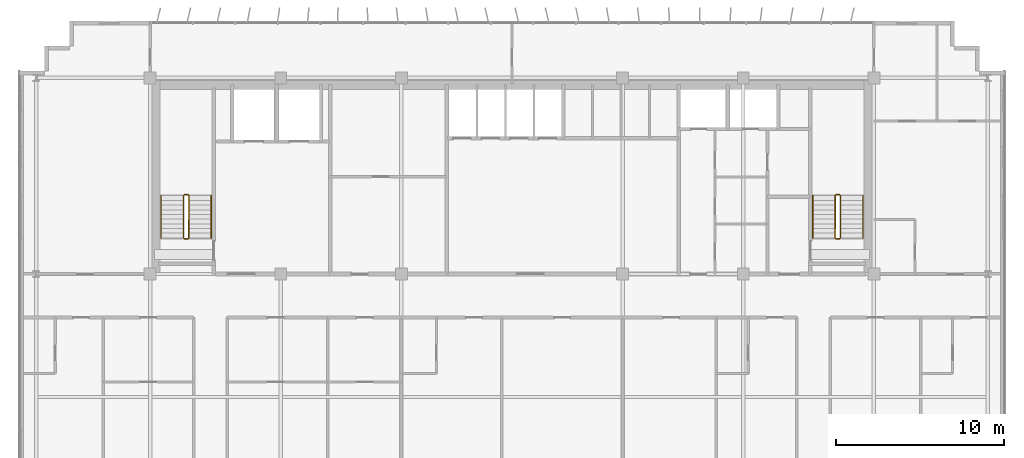
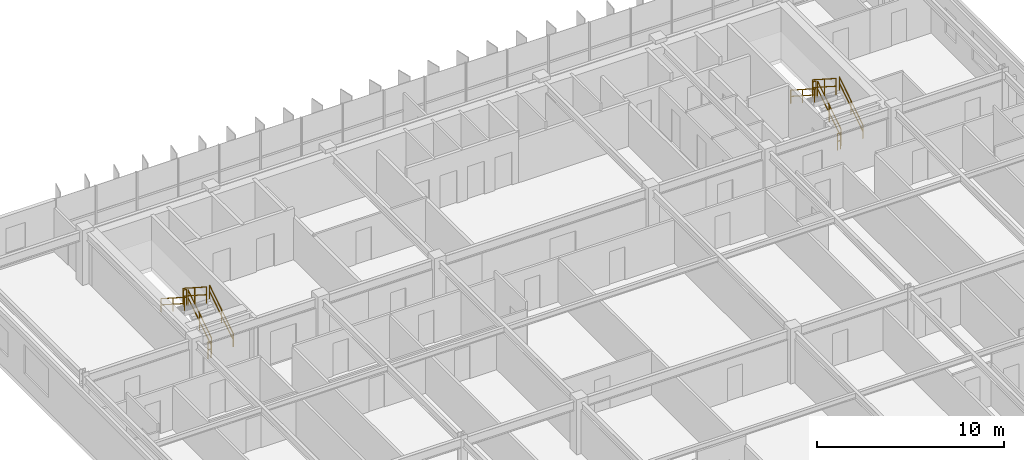
# One storey, part 21 of 21: 12 railings.
"""IFC4 building model written with IfcOpenShell, lengths in metres."""

import ifcopenshell
import ifcopenshell.guid

model = None  # the IFC model being written
_history = None  # IfcOwnerHistory: only IFC2X3 demands one
_inside = {}  # id of a spatial element -> (the spatial element, [elements in it])
_under = {}  # id of a project, library or spatial element -> (it, [spatial elements below it])
_declared = {}  # id of a project -> (the project, [libraries it declares])
_typed = {}  # id of a type object -> (the type object, [elements of that type])
_made_of = {}  # id of a material, layer set ... -> (it, [elements and type objects made of it])


def new_model(schema):
    """Start an empty IFC model of exactly this schema.

    Asked for "IFC4X3", IfcOpenShell would pick the latest addendum, in which some entities
    have other attributes; the version numbers below select the first issue.
    IFC2X3 requires an IfcOwnerHistory on every rooted entity: one is made here for all.
    """
    global model, _history
    if schema == "IFC4X3":
        model = ifcopenshell.file(schema_version=(4, 3, 0, 0))
    else:
        model = ifcopenshell.file(schema=schema)
    _inside.clear()
    _under.clear()
    _declared.clear()
    _typed.clear()
    _made_of.clear()
    _history = None
    if model.schema == "IFC2X3":
        org = make("IfcOrganization", Name="unknown")
        user = make(
            "IfcPersonAndOrganization",
            ThePerson=make("IfcPerson", FamilyName="unknown"),
            TheOrganization=org,
        )
        app = make(
            "IfcApplication",
            ApplicationDeveloper=org,
            Version="unknown",
            ApplicationFullName="unknown",
            ApplicationIdentifier="unknown",
        )
        _history = make(
            "IfcOwnerHistory",
            OwningUser=user,
            OwningApplication=app,
            ChangeAction="ADDED",
            CreationDate=0,
        )
    return model


def make(cls, **values):
    """One entity of the class cls with the attributes given. An attribute that is None is left unset."""
    return model.create_entity(
        cls, **{name: value for name, value in values.items() if value is not None}
    )


def rooted(cls, **values):
    """An entity with a GlobalId (a new one), such as an element, a storey or a relation."""
    return make(cls, GlobalId=ifcopenshell.guid.new(), OwnerHistory=_history, **values)


def si_unit(unit_type, name, prefix=None):
    """IfcSIUnit, for example si_unit("LENGTHUNIT", "METRE", prefix="MILLI")."""
    return make("IfcSIUnit", UnitType=unit_type, Prefix=prefix, Name=name)


def assignment(units):
    """IfcUnitAssignment: the units of a project."""
    return None if units is None else make("IfcUnitAssignment", Units=units)


def point(xyz):
    """IfcCartesianPoint."""
    return None if xyz is None else make("IfcCartesianPoint", Coordinates=xyz)


def direction(xyz):
    """IfcDirection."""
    return None if xyz is None else make("IfcDirection", DirectionRatios=xyz)


def frame(location, z_axis=None, x_axis=None):
    """IfcAxis2Placement3D, a coordinate frame: its origin and axes. An axis left out is left unset."""
    return make(
        "IfcAxis2Placement3D",
        Location=point(location),
        Axis=direction(z_axis),
        RefDirection=direction(x_axis),
    )


def frame_2d(location, x_axis=None):
    """IfcAxis2Placement2D, a coordinate frame in the plane: its origin and x axis."""
    return make(
        "IfcAxis2Placement2D", Location=point(location), RefDirection=direction(x_axis)
    )


def origin():
    """The frame at (0, 0, 0) with its axes left unset."""
    return frame((0.0, 0.0, 0.0))


def origin_2d():
    """The frame at (0, 0) in the plane with its x axis left unset."""
    return frame_2d((0.0, 0.0))


def place(relative_to, where):
    """IfcLocalPlacement: puts the frame where relative to a parent placement (None: the world)."""
    return make(
        "IfcLocalPlacement", PlacementRelTo=relative_to, RelativePlacement=where
    )


def context(
    kind, dimensions, precision=None, world=None, true_north=None, identifier=None
):
    """IfcGeometricRepresentationContext, for example the 3D "Model" context."""
    return make(
        "IfcGeometricRepresentationContext",
        ContextIdentifier=identifier,
        ContextType=kind,
        CoordinateSpaceDimension=dimensions,
        Precision=precision,
        WorldCoordinateSystem=world,
        TrueNorth=true_north,
    )


def subcontext(parent, identifier, kind, view, scale=None):
    """IfcGeometricRepresentationSubContext, for example "Body" below "Model"."""
    return make(
        "IfcGeometricRepresentationSubContext",
        ContextIdentifier=identifier,
        ContextType=kind,
        ParentContext=parent,
        TargetScale=scale,
        TargetView=view,
    )


def project(units=None, contexts=None):
    """IfcProject with its units and contexts."""
    return rooted(
        "IfcProject",
        Name="project",
        RepresentationContexts=contexts,
        UnitsInContext=assignment(units),
    )


def spatial(cls, under=None, at=None, **own):
    """A site, building, storey or space (cls), placed at a placement, below another one or the project."""
    s = rooted(cls, ObjectPlacement=at, **own)
    if under is not None:
        _under.setdefault(under.id(), (under, []))[1].append(s)
    return s


def profile(cls, at=None, kind="AREA", **sizes):
    """A parametric profile (cls). Its sizes go by their IFC names, for example OverallWidth=200.0."""
    return make(cls, ProfileType=kind, Position=at, **sizes)


def rectangle(**sizes):
    """IfcRectangleProfileDef."""
    return profile("IfcRectangleProfileDef", **sizes)


def extrude(swept, where, along, depth):
    """IfcExtrudedAreaSolid: the profile swept, set in the frame where, extruded along a direction by depth."""
    return make(
        "IfcExtrudedAreaSolid",
        SweptArea=swept,
        Position=where,
        ExtrudedDirection=direction(along),
        Depth=depth,
    )


def shape(context_of_items, identifier, shape_type, items):
    """IfcShapeRepresentation: the items that make up one representation, for example the "Body"."""
    return make(
        "IfcShapeRepresentation",
        ContextOfItems=context_of_items,
        RepresentationIdentifier=identifier,
        RepresentationType=shape_type,
        Items=items,
    )


def material(Name=None, Category=None):
    """IfcMaterial."""
    return make("IfcMaterial", Name=Name, Category=Category)


def made_of(thing, what):
    """Note that an element or type object is made of a material, layer set ...; save() writes the relation."""
    if what is not None:
        _made_of.setdefault(what.id(), (what, []))[1].append(thing)
    return thing


def type_object(cls, material=None, **own):
    """A type object (cls), such as IfcWallType, which elements share."""
    return made_of(rooted(cls, **own), material)


def element(
    cls,
    number,
    at=None,
    inside=None,
    cuts=None,
    type_object=None,
    material=None,
    context=None,
    identifier="Body",
    shape_type=None,
    held_by="IfcProductDefinitionShape",
    body=None,
    shapes=None,
    **own,
):
    """One element of the class cls, such as IfcWall. Its Tag is "e" and its number.

    at: its placement. inside: the storey or other place that contains it. cuts: it is an
    opening in that element (IfcRelVoidsElement). A single representation is given by context,
    identifier, shape_type and body (its items); several are given by shapes. held_by: the class
    of the entity that holds the representations. save() writes the other relations.
    """
    e = rooted(cls, Tag="e%d" % number, ObjectPlacement=at, **own)
    if body is not None:
        shapes = [shape(context, identifier, shape_type, body)]
    if shapes is not None:
        e.Representation = make(held_by, Representations=shapes)
    if inside is not None:
        _inside.setdefault(inside.id(), (inside, []))[1].append(e)
    if cuts is not None:
        rooted(
            "IfcRelVoidsElement", RelatingBuildingElement=cuts, RelatedOpeningElement=e
        )
    if type_object is not None:
        _typed.setdefault(type_object.id(), (type_object, []))[1].append(e)
    return made_of(e, material)


def aggregate(whole, parts):
    """IfcRelAggregates: a whole, such as a stair, and the parts it consists of."""
    return rooted("IfcRelAggregates", RelatingObject=whole, RelatedObjects=parts)


def save(model, path):
    """Write the relations noted so far, then the file.

    IfcRelAggregates (storeys below a building ...), IfcRelContainedInSpatialStructure (elements
    in a storey), IfcRelDefinesByType, IfcRelAssociatesMaterial and IfcRelDeclares: one each for
    every whole, place, type object, material and project.
    """
    for whole, parts in _under.values():
        aggregate(whole, parts)
    for where, things in _inside.values():
        rooted(
            "IfcRelContainedInSpatialStructure",
            RelatedElements=things,
            RelatingStructure=where,
        )
    for kind, things in _typed.values():
        rooted("IfcRelDefinesByType", RelatedObjects=things, RelatingType=kind)
    for what, things in _made_of.values():
        rooted("IfcRelAssociatesMaterial", RelatedObjects=things, RelatingMaterial=what)
    for by, libraries in _declared.values():
        rooted("IfcRelDeclares", RelatingContext=by, RelatedDefinitions=libraries)
    model.write(path)


model = new_model("IFC4")

# Units and contexts
model_context = context("Model", 3, precision=1e-05, world=origin(), true_north=direction((0.0, 1.0)))
body_context = subcontext(model_context, "Body", "Model", "MODEL_VIEW")
ifc_project = project(units=[si_unit("LENGTHUNIT", "METRE"), si_unit("AREAUNIT", "SQUARE_METRE"), si_unit("VOLUMEUNIT", "CUBIC_METRE"), si_unit("PLANEANGLEUNIT", "RADIAN"), si_unit("MASSUNIT", "GRAM", prefix="KILO")], contexts=[model_context])

# Site, building, storey
site_placement = place(None, origin())
site = spatial("IfcSite", under=ifc_project, at=site_placement, CompositionType="ELEMENT")
building_placement = place(site_placement, origin())
building = spatial("IfcBuilding", under=site, at=building_placement, Name="Trelvane Seafront Commons", CompositionType="ELEMENT")
storey_placement = place(building_placement, frame((0.0, 0.0, 153.699951171875)))
storey = spatial("IfcBuildingStorey", under=building, at=storey_placement, Name="L40", CompositionType="ELEMENT", Elevation=153.699951171875)

# Railings
ifc_material = material(Name="Stainless steel balustrade", Category="steel")
railing_type_1 = type_object("IfcRailingType", Name="ARCH-SRL-GUARD", PredefinedType="GUARDRAIL", material=ifc_material)
railing_1_placement = place(storey_placement, frame((17.89990234375, 35.550048828125, 0.179931640625)))
element("IfcRailing", 1, at=railing_1_placement, inside=storey, type_object=railing_type_1, Name="L40 ST-1 stair guard 1", PredefinedType="GUARDRAIL", context=body_context, shape_type="SweptSolid", body=[
    extrude(rectangle(XDim=0.048095703125, YDim=0.048095703125, at=origin_2d()), frame((0.0, 0.0, 1.076171875), z_axis=(0.0, 0.841162588446, 0.540782303519), x_axis=(-1.0, 0.0, 0.0)), (0.0, 0.0, 1.0), 2.995849609375),
    extrude(rectangle(XDim=0.048095703125, YDim=0.048095703125, at=origin_2d()), frame((0.0, 0.0, 0.572021484375), z_axis=(0.0, 0.841162588446, 0.540782303519), x_axis=(-1.0, 0.0, 0.0)), (0.0, 0.0, 1.0), 2.995849609375),
    extrude(rectangle(XDim=0.0419921875, YDim=0.0419921875, at=origin_2d()), origin(), (0.0, 0.0, 1.0), 1.076171875),
    extrude(rectangle(XDim=0.0419921875, YDim=0.0419921875, at=origin_2d()), frame((0.0, 1.260009765625, 0.81005859375)), (0.0, 0.0, 1.0), 1.076171875),
    extrude(rectangle(XDim=0.0419921875, YDim=0.0419921875, at=origin_2d()), frame((0.0, 2.52001953125, 1.6201171875)), (0.0, 0.0, 1.0), 1.076171875),
])
railing_2_placement = place(storey_placement, frame((17.85009765625, 38.1201171875, 1.800048828125)))
element("IfcRailing", 2, at=railing_2_placement, inside=storey, type_object=railing_type_1, Name="L40 ST-1 stair guard 2", PredefinedType="GUARDRAIL", context=body_context, shape_type="SweptSolid", body=[
    extrude(rectangle(XDim=0.048095703125, YDim=0.048095703125, at=origin_2d()), frame((0.0, 0.0, 1.076171875), z_axis=(-1.0, 0.0, 0.0), x_axis=(0.0, -1.0, 0.0)), (0.0, 0.0, 1.0), 0.2001953125),
    extrude(rectangle(XDim=0.048095703125, YDim=0.048095703125, at=origin_2d()), frame((0.0, 0.0, 0.572021484375), z_axis=(-1.0, 0.0, 0.0), x_axis=(0.0, -1.0, 0.0)), (0.0, 0.0, 1.0), 0.2001953125),
    extrude(rectangle(XDim=0.0419921875, YDim=0.0419921875, at=origin_2d()), origin(), (0.0, 0.0, 1.0), 1.076171875),
    extrude(rectangle(XDim=0.0419921875, YDim=0.0419921875, at=origin_2d()), frame((-0.2001953125, 0.0, 0.0)), (0.0, 0.0, 1.0), 1.076171875),
])
railing_3_placement = place(storey_placement, frame((17.60009765625, 38.070068359375, 1.97998046875)))
element("IfcRailing", 3, at=railing_3_placement, inside=storey, type_object=railing_type_1, Name="L40 ST-1 stair guard 3", PredefinedType="GUARDRAIL", context=body_context, shape_type="SweptSolid", body=[
    extrude(rectangle(XDim=0.048095703125, YDim=0.048095703125, at=origin_2d()), frame((0.0, 0.0, 1.076171875), z_axis=(0.0, -0.841162588446, 0.540782303519), x_axis=(1.0, 0.0, 0.0)), (0.0, 0.0, 1.0), 2.995849609375),
    extrude(rectangle(XDim=0.048095703125, YDim=0.048095703125, at=origin_2d()), frame((0.0, 0.0, 0.572021484375), z_axis=(0.0, -0.841162588446, 0.540782303519), x_axis=(1.0, 0.0, 0.0)), (0.0, 0.0, 1.0), 2.995849609375),
    extrude(rectangle(XDim=0.0419921875, YDim=0.0419921875, at=origin_2d()), origin(), (0.0, 0.0, 1.0), 1.076171875),
    extrude(rectangle(XDim=0.0419921875, YDim=0.0419921875, at=origin_2d()), frame((0.0, -1.260009765625, 0.81005859375)), (0.0, 0.0, 1.0), 1.076171875),
    extrude(rectangle(XDim=0.0419921875, YDim=0.0419921875, at=origin_2d()), frame((0.0, -2.52001953125, 1.6201171875)), (0.0, 0.0, 1.0), 1.076171875),
])
railing_4_placement = place(storey_placement, frame((17.85009765625, 35.5, 0.0)))
element("IfcRailing", 4, at=railing_4_placement, inside=storey, type_object=railing_type_1, Name="L40 ST-1 stair guard 4", PredefinedType="GUARDRAIL", context=body_context, shape_type="SweptSolid", body=[
    extrude(rectangle(XDim=0.048095703125, YDim=0.048095703125, at=origin_2d()), frame((0.0, 0.0, 1.076171875), z_axis=(-1.0, 0.0, 0.0), x_axis=(0.0, -1.0, 0.0)), (0.0, 0.0, 1.0), 0.2001953125),
    extrude(rectangle(XDim=0.048095703125, YDim=0.048095703125, at=origin_2d()), frame((0.0, 0.0, 0.572021484375), z_axis=(-1.0, 0.0, 0.0), x_axis=(0.0, -1.0, 0.0)), (0.0, 0.0, 1.0), 0.2001953125),
    extrude(rectangle(XDim=0.0419921875, YDim=0.0419921875, at=origin_2d()), origin(), (0.0, 0.0, 1.0), 1.076171875),
    extrude(rectangle(XDim=0.0419921875, YDim=0.0419921875, at=origin_2d()), frame((-0.2001953125, 0.0, 0.0)), (0.0, 0.0, 1.0), 1.076171875),
])
railing_5_placement = place(storey_placement, frame((56.800048828125, 35.550048828125, 0.179931640625)))
element("IfcRailing", 5, at=railing_5_placement, inside=storey, type_object=railing_type_1, Name="L40 ST-2 stair guard 1", PredefinedType="GUARDRAIL", context=body_context, shape_type="SweptSolid", body=[
    extrude(rectangle(XDim=0.048095703125, YDim=0.048095703125, at=origin_2d()), frame((0.0, 0.0, 1.076171875), z_axis=(0.0, 0.841162588446, 0.540782303519), x_axis=(-1.0, 0.0, 0.0)), (0.0, 0.0, 1.0), 2.995849609375),
    extrude(rectangle(XDim=0.048095703125, YDim=0.048095703125, at=origin_2d()), frame((0.0, 0.0, 0.572021484375), z_axis=(0.0, 0.841162588446, 0.540782303519), x_axis=(-1.0, 0.0, 0.0)), (0.0, 0.0, 1.0), 2.995849609375),
    extrude(rectangle(XDim=0.0419921875, YDim=0.0419921875, at=origin_2d()), origin(), (0.0, 0.0, 1.0), 1.076171875),
    extrude(rectangle(XDim=0.0419921875, YDim=0.0419921875, at=origin_2d()), frame((0.0, 1.260009765625, 0.81005859375)), (0.0, 0.0, 1.0), 1.076171875),
    extrude(rectangle(XDim=0.0419921875, YDim=0.0419921875, at=origin_2d()), frame((0.0, 2.52001953125, 1.6201171875)), (0.0, 0.0, 1.0), 1.076171875),
])
railing_6_placement = place(storey_placement, frame((56.75, 38.1201171875, 1.800048828125)))
element("IfcRailing", 6, at=railing_6_placement, inside=storey, type_object=railing_type_1, Name="L40 ST-2 stair guard 2", PredefinedType="GUARDRAIL", context=body_context, shape_type="SweptSolid", body=[
    extrude(rectangle(XDim=0.048095703125, YDim=0.048095703125, at=origin_2d()), frame((0.0, 0.0, 1.076171875), z_axis=(-1.0, 0.0, 0.0), x_axis=(0.0, -1.0, 0.0)), (0.0, 0.0, 1.0), 0.199951171875),
    extrude(rectangle(XDim=0.048095703125, YDim=0.048095703125, at=origin_2d()), frame((0.0, 0.0, 0.572021484375), z_axis=(-1.0, 0.0, 0.0), x_axis=(0.0, -1.0, 0.0)), (0.0, 0.0, 1.0), 0.199951171875),
    extrude(rectangle(XDim=0.0419921875, YDim=0.0419921875, at=origin_2d()), origin(), (0.0, 0.0, 1.0), 1.076171875),
    extrude(rectangle(XDim=0.0419921875, YDim=0.0419921875, at=origin_2d()), frame((-0.199951171875, 0.0, 0.0)), (0.0, 0.0, 1.0), 1.076171875),
])
railing_7_placement = place(storey_placement, frame((56.5, 38.070068359375, 1.97998046875)))
element("IfcRailing", 7, at=railing_7_placement, inside=storey, type_object=railing_type_1, Name="L40 ST-2 stair guard 3", PredefinedType="GUARDRAIL", context=body_context, shape_type="SweptSolid", body=[
    extrude(rectangle(XDim=0.048095703125, YDim=0.048095703125, at=origin_2d()), frame((0.0, 0.0, 1.076171875), z_axis=(0.0, -0.841162588446, 0.540782303519), x_axis=(1.0, 0.0, 0.0)), (0.0, 0.0, 1.0), 2.995849609375),
    extrude(rectangle(XDim=0.048095703125, YDim=0.048095703125, at=origin_2d()), frame((0.0, 0.0, 0.572021484375), z_axis=(0.0, -0.841162588446, 0.540782303519), x_axis=(1.0, 0.0, 0.0)), (0.0, 0.0, 1.0), 2.995849609375),
    extrude(rectangle(XDim=0.0419921875, YDim=0.0419921875, at=origin_2d()), origin(), (0.0, 0.0, 1.0), 1.076171875),
    extrude(rectangle(XDim=0.0419921875, YDim=0.0419921875, at=origin_2d()), frame((0.0, -1.260009765625, 0.81005859375)), (0.0, 0.0, 1.0), 1.076171875),
    extrude(rectangle(XDim=0.0419921875, YDim=0.0419921875, at=origin_2d()), frame((0.0, -2.52001953125, 1.6201171875)), (0.0, 0.0, 1.0), 1.076171875),
])
railing_8_placement = place(storey_placement, frame((56.75, 35.5, 0.0)))
element("IfcRailing", 8, at=railing_8_placement, inside=storey, type_object=railing_type_1, Name="L40 ST-2 stair guard 4", PredefinedType="GUARDRAIL", context=body_context, shape_type="SweptSolid", body=[
    extrude(rectangle(XDim=0.048095703125, YDim=0.048095703125, at=origin_2d()), frame((0.0, 0.0, 1.076171875), z_axis=(-1.0, 0.0, 0.0), x_axis=(0.0, -1.0, 0.0)), (0.0, 0.0, 1.0), 0.199951171875),
    extrude(rectangle(XDim=0.048095703125, YDim=0.048095703125, at=origin_2d()), frame((0.0, 0.0, 0.572021484375), z_axis=(-1.0, 0.0, 0.0), x_axis=(0.0, -1.0, 0.0)), (0.0, 0.0, 1.0), 0.199951171875),
    extrude(rectangle(XDim=0.0419921875, YDim=0.0419921875, at=origin_2d()), origin(), (0.0, 0.0, 1.0), 1.076171875),
    extrude(rectangle(XDim=0.0419921875, YDim=0.0419921875, at=origin_2d()), frame((-0.199951171875, 0.0, 0.0)), (0.0, 0.0, 1.0), 1.076171875),
])
railing_type_2 = type_object("IfcRailingType", Name="ARCH-SRL-HAND", PredefinedType="HANDRAIL", material=ifc_material)
railing_9_placement = place(storey_placement, frame((19.25, 35.550048828125, 0.179931640625)))
element("IfcRailing", 9, at=railing_9_placement, inside=storey, type_object=railing_type_2, Name="L40 ST-1 stair handrail 1", PredefinedType="HANDRAIL", context=body_context, shape_type="SweptSolid", body=[
    extrude(rectangle(XDim=0.048095703125, YDim=0.048095703125, at=origin_2d()), frame((0.0, 0.0, 0.8759765625), z_axis=(0.0, 0.841162588446, 0.540782303519), x_axis=(-1.0, 0.0, 0.0)), (0.0, 0.0, 1.0), 2.995849609375),
    extrude(rectangle(XDim=0.048095703125, YDim=0.048095703125, at=origin_2d()), frame((0.0, 0.0, 0.468017578125), z_axis=(0.0, 0.841162588446, 0.540782303519), x_axis=(-1.0, 0.0, 0.0)), (0.0, 0.0, 1.0), 2.995849609375),
    extrude(rectangle(XDim=0.0419921875, YDim=0.0419921875, at=origin_2d()), origin(), (0.0, 0.0, 1.0), 0.8759765625),
    extrude(rectangle(XDim=0.0419921875, YDim=0.0419921875, at=origin_2d()), frame((0.0, 1.260009765625, 0.81005859375)), (0.0, 0.0, 1.0), 0.8759765625),
    extrude(rectangle(XDim=0.0419921875, YDim=0.0419921875, at=origin_2d()), frame((0.0, 2.52001953125, 1.6201171875)), (0.0, 0.0, 1.0), 0.8759765625),
])
railing_10_placement = place(storey_placement, frame((16.25, 38.070068359375, 1.97998046875)))
element("IfcRailing", 10, at=railing_10_placement, inside=storey, type_object=railing_type_2, Name="L40 ST-1 stair handrail 2", PredefinedType="HANDRAIL", context=body_context, shape_type="SweptSolid", body=[
    extrude(rectangle(XDim=0.048095703125, YDim=0.048095703125, at=origin_2d()), frame((0.0, 0.0, 0.8759765625), z_axis=(0.0, -0.841162588446, 0.540782303519), x_axis=(1.0, 0.0, 0.0)), (0.0, 0.0, 1.0), 2.995849609375),
    extrude(rectangle(XDim=0.048095703125, YDim=0.048095703125, at=origin_2d()), frame((0.0, 0.0, 0.468017578125), z_axis=(0.0, -0.841162588446, 0.540782303519), x_axis=(1.0, 0.0, 0.0)), (0.0, 0.0, 1.0), 2.995849609375),
    extrude(rectangle(XDim=0.0419921875, YDim=0.0419921875, at=origin_2d()), origin(), (0.0, 0.0, 1.0), 0.8759765625),
    extrude(rectangle(XDim=0.0419921875, YDim=0.0419921875, at=origin_2d()), frame((0.0, -1.260009765625, 0.81005859375)), (0.0, 0.0, 1.0), 0.8759765625),
    extrude(rectangle(XDim=0.0419921875, YDim=0.0419921875, at=origin_2d()), frame((0.0, -2.52001953125, 1.6201171875)), (0.0, 0.0, 1.0), 0.8759765625),
])
railing_11_placement = place(storey_placement, frame((58.14990234375, 35.550048828125, 0.179931640625)))
element("IfcRailing", 11, at=railing_11_placement, inside=storey, type_object=railing_type_2, Name="L40 ST-2 stair handrail 1", PredefinedType="HANDRAIL", context=body_context, shape_type="SweptSolid", body=[
    extrude(rectangle(XDim=0.048095703125, YDim=0.048095703125, at=origin_2d()), frame((0.0, 0.0, 0.8759765625), z_axis=(0.0, 0.841162588446, 0.540782303519), x_axis=(-1.0, 0.0, 0.0)), (0.0, 0.0, 1.0), 2.995849609375),
    extrude(rectangle(XDim=0.048095703125, YDim=0.048095703125, at=origin_2d()), frame((0.0, 0.0, 0.468017578125), z_axis=(0.0, 0.841162588446, 0.540782303519), x_axis=(-1.0, 0.0, 0.0)), (0.0, 0.0, 1.0), 2.995849609375),
    extrude(rectangle(XDim=0.0419921875, YDim=0.0419921875, at=origin_2d()), origin(), (0.0, 0.0, 1.0), 0.8759765625),
    extrude(rectangle(XDim=0.0419921875, YDim=0.0419921875, at=origin_2d()), frame((0.0, 1.260009765625, 0.81005859375)), (0.0, 0.0, 1.0), 0.8759765625),
    extrude(rectangle(XDim=0.0419921875, YDim=0.0419921875, at=origin_2d()), frame((0.0, 2.52001953125, 1.6201171875)), (0.0, 0.0, 1.0), 0.8759765625),
])
railing_12_placement = place(storey_placement, frame((55.14990234375, 38.070068359375, 1.97998046875)))
element("IfcRailing", 12, at=railing_12_placement, inside=storey, type_object=railing_type_2, Name="L40 ST-2 stair handrail 2", PredefinedType="HANDRAIL", context=body_context, shape_type="SweptSolid", body=[
    extrude(rectangle(XDim=0.048095703125, YDim=0.048095703125, at=origin_2d()), frame((0.0, 0.0, 0.8759765625), z_axis=(0.0, -0.841162588446, 0.540782303519), x_axis=(1.0, 0.0, 0.0)), (0.0, 0.0, 1.0), 2.995849609375),
    extrude(rectangle(XDim=0.048095703125, YDim=0.048095703125, at=origin_2d()), frame((0.0, 0.0, 0.468017578125), z_axis=(0.0, -0.841162588446, 0.540782303519), x_axis=(1.0, 0.0, 0.0)), (0.0, 0.0, 1.0), 2.995849609375),
    extrude(rectangle(XDim=0.0419921875, YDim=0.0419921875, at=origin_2d()), origin(), (0.0, 0.0, 1.0), 0.8759765625),
    extrude(rectangle(XDim=0.0419921875, YDim=0.0419921875, at=origin_2d()), frame((0.0, -1.260009765625, 0.81005859375)), (0.0, 0.0, 1.0), 0.8759765625),
    extrude(rectangle(XDim=0.0419921875, YDim=0.0419921875, at=origin_2d()), frame((0.0, -2.52001953125, 1.6201171875)), (0.0, 0.0, 1.0), 0.8759765625),
])

save(model, "model.ifc")
